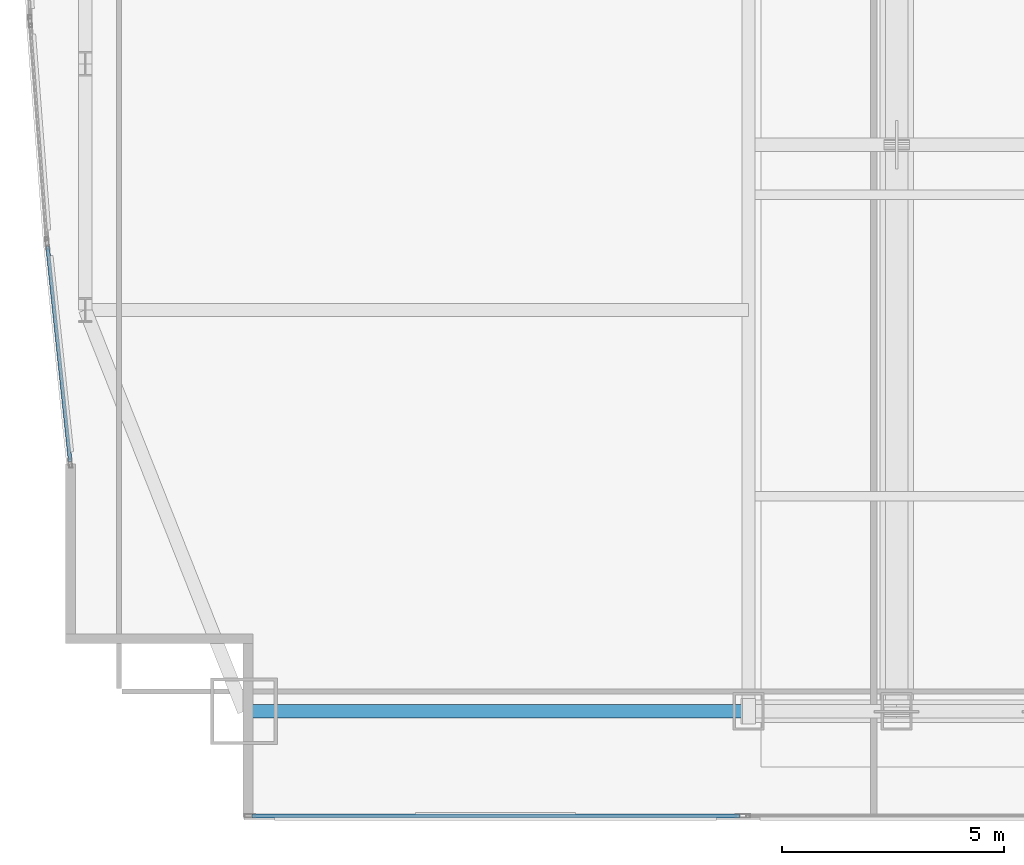
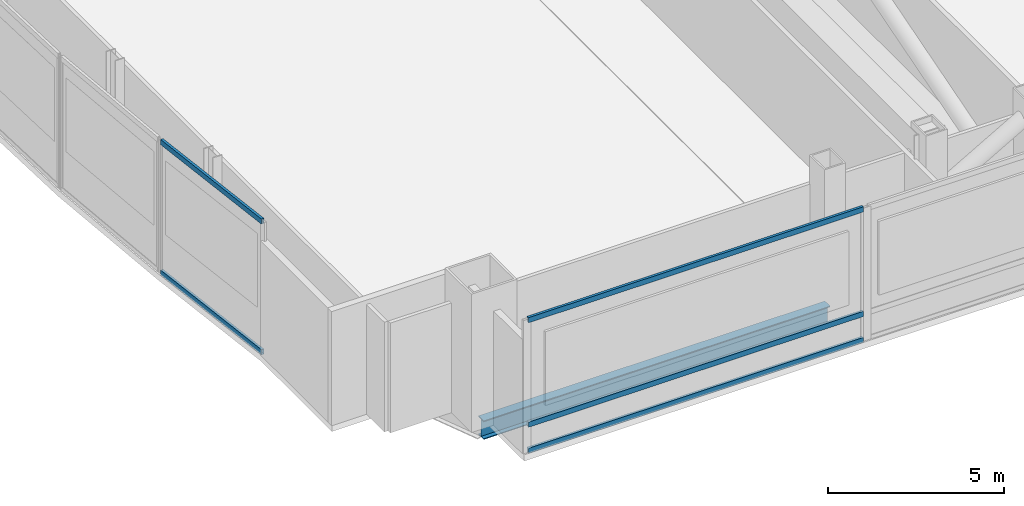
# One storey, part 6 of 32: 5 members, 1 beam, 2 elements without a shape of their own.
"""IFC4 building model written with IfcOpenShell, lengths in metres."""

from ifc_helpers import new_model, si_unit, direction, frame, origin, origin_2d, place, context, subcontext, project, spatial, hollow_rectangle, i_section, extrude, material, material_profile, profile_set, type_object, element, aggregate, save


model = new_model("IFC4")

# Units and contexts
model_context = context("Model", 3, precision=1e-05, world=origin(), true_north=direction((0.0, 1.0)))
body_context = subcontext(model_context, "Body", "Model", "MODEL_VIEW")
ifc_project = project(units=[si_unit("LENGTHUNIT", "METRE"), si_unit("AREAUNIT", "SQUARE_METRE"), si_unit("VOLUMEUNIT", "CUBIC_METRE"), si_unit("PLANEANGLEUNIT", "RADIAN"), si_unit("MASSUNIT", "GRAM", prefix="KILO")], contexts=[model_context])

# Site, building, storey
site_placement = place(None, origin())
site = spatial("IfcSite", under=ifc_project, at=site_placement, CompositionType="ELEMENT")
building_placement = place(site_placement, origin())
building = spatial("IfcBuilding", under=site, at=building_placement, Name="Khoronbel Lancet Exchange", CompositionType="ELEMENT")
storey_placement = place(building_placement, frame((0.0, 0.0, 85.800048828125)))
storey = spatial("IfcBuildingStorey", under=building, at=storey_placement, Name="L20", CompositionType="ELEMENT", Elevation=85.800048828125)

# Beam
ifc_material_1 = material(Name="Steel S355", Category="steel")
ifc_material_profile_1 = material_profile(ifc_material_1, i_section(OverallWidth=0.300048828125, OverallDepth=0.64990234375, WebThickness=0.01611328125, FlangeThickness=0.031005859375, at=origin_2d()), Name="HEB 650")
ifc_profile_set_1 = profile_set([ifc_material_profile_1], Name="Steel S355")
beam_type = type_object("IfcBeamType", Name="BM-BSP1", PredefinedType="SPANDREL", material=ifc_profile_set_1)
beam_placement = place(storey_placement, frame((6.85009765625, 10.14990234375, -0.545166015625), z_axis=(1.0, 0.0, 0.0), x_axis=(0.0, 1.0, 0.0)))
element("IfcBeam", 1, at=beam_placement, inside=storey, type_object=beam_type, Name="Level L20 perimeter spandrel beam SP01", PredefinedType="SPANDREL", context=body_context, shape_type="SweptSolid", body=[
    extrude(i_section(OverallWidth=0.300048828125, OverallDepth=0.64990234375, WebThickness=0.01611328125, FlangeThickness=0.031005859375, at=origin_2d()), origin(), (0.0, 0.0, 1.0), 11.375),
])

# Curtain wall, members
ifc_material_2 = material(Name="Low-E Solar Control Insulating Glass", Category="glass")
curtain_wall_type_1 = type_object("IfcCurtainWallType", Name="CW-4", PredefinedType="NOTDEFINED", material=ifc_material_2)
curtain_wall_1_placement = place(storey_placement, origin())
curtain_wall_1 = element("IfcCurtainWall", 2, at=curtain_wall_1_placement, inside=storey, type_object=curtain_wall_type_1, Name="Unitised curtain wall CW-L20-E04", PredefinedType="NOTDEFINED")
ifc_material_3 = material(Name="Bronze-Anodised Aluminium 6063-T6", Category="aluminium")
ifc_material_profile_2 = material_profile(ifc_material_3, hollow_rectangle(XDim=0.0849609375, YDim=0.179931640625, WallThickness=0.0048828125, at=origin_2d()), Name="ALU TRANSOM 85x180")
ifc_profile_set_2 = profile_set([ifc_material_profile_2], Name="Bronze-Anodised Aluminium 6063-T6")
member_type = type_object("IfcMemberType", Name="MEM-CWT1", PredefinedType="USERDEFINED", material=ifc_profile_set_2)
member_1_placement = place(storey_placement, frame((2.93212890625, 15.779296875, 0.04248046875), z_axis=(-0.104440030005, 0.994531186104, 0.0), x_axis=(-0.994531186104, -0.104440030005, 0.0)))
member_1 = element("IfcMember", 3, at=member_1_placement, type_object=member_type, Name="CW4 transom 1.1", ObjectType="TRANSOM", PredefinedType="USERDEFINED", context=body_context, shape_type="SweptSolid", body=[
    extrude(hollow_rectangle(XDim=0.0849609375, YDim=0.179931640625, WallThickness=0.0048828125, at=origin_2d()), origin(), (0.0, 0.0, 1.0), 4.880859375),
])
member_2_placement = place(storey_placement, frame((2.93212890625, 15.779296875, 4.577392578125), z_axis=(-0.104440030005, 0.994531186104, 0.0), x_axis=(-0.994531186104, -0.104440030005, 0.0)))
member_2 = element("IfcMember", 4, at=member_2_placement, type_object=member_type, Name="CW4 transom 1.2", ObjectType="TRANSOM", PredefinedType="USERDEFINED", context=body_context, shape_type="SweptSolid", body=[
    extrude(hollow_rectangle(XDim=0.0849609375, YDim=0.179931640625, WallThickness=0.0048828125, at=origin_2d()), origin(), (0.0, 0.0, 1.0), 4.880859375),
])
aggregate(curtain_wall_1, [member_1, member_2])

curtain_wall_type_2 = type_object("IfcCurtainWallType", Name="CW-2", PredefinedType="NOTDEFINED", material=ifc_material_2)
curtain_wall_2_placement = place(storey_placement, origin())
curtain_wall_2 = element("IfcCurtainWall", 5, at=curtain_wall_2_placement, inside=storey, type_object=curtain_wall_type_2, Name="Unitised curtain wall CW-L20-SWV", PredefinedType="NOTDEFINED")
member_3_placement = place(storey_placement, frame((7.02490234375, 7.7900390625, 0.04248046875), z_axis=(1.0, 0.0, 0.0), x_axis=(0.0, 1.0, 0.0)))
member_3 = element("IfcMember", 6, at=member_3_placement, type_object=member_type, Name="CW2 transom 1.1", ObjectType="TRANSOM", PredefinedType="USERDEFINED", context=body_context, shape_type="SweptSolid", body=[
    extrude(hollow_rectangle(XDim=0.0849609375, YDim=0.179931640625, WallThickness=0.0048828125, at=origin_2d()), origin(), (0.0, 0.0, 1.0), 10.989990234375),
])
member_4_placement = place(storey_placement, frame((7.02490234375, 7.7900390625, 0.949951171875), z_axis=(1.0, 0.0, 0.0), x_axis=(0.0, 1.0, 0.0)))
member_4 = element("IfcMember", 7, at=member_4_placement, type_object=member_type, Name="CW2 transom 1.2", ObjectType="TRANSOM", PredefinedType="USERDEFINED", context=body_context, shape_type="SweptSolid", body=[
    extrude(hollow_rectangle(XDim=0.0849609375, YDim=0.179931640625, WallThickness=0.0048828125, at=origin_2d()), origin(), (0.0, 0.0, 1.0), 10.989990234375),
])
member_5_placement = place(storey_placement, frame((7.02490234375, 7.7900390625, 4.577392578125), z_axis=(1.0, 0.0, 0.0), x_axis=(0.0, 1.0, 0.0)))
member_5 = element("IfcMember", 8, at=member_5_placement, type_object=member_type, Name="CW2 transom 1.3", ObjectType="TRANSOM", PredefinedType="USERDEFINED", context=body_context, shape_type="SweptSolid", body=[
    extrude(hollow_rectangle(XDim=0.0849609375, YDim=0.179931640625, WallThickness=0.0048828125, at=origin_2d()), origin(), (0.0, 0.0, 1.0), 10.989990234375),
])
aggregate(curtain_wall_2, [member_3, member_4, member_5])

save(model, "model.ifc")
